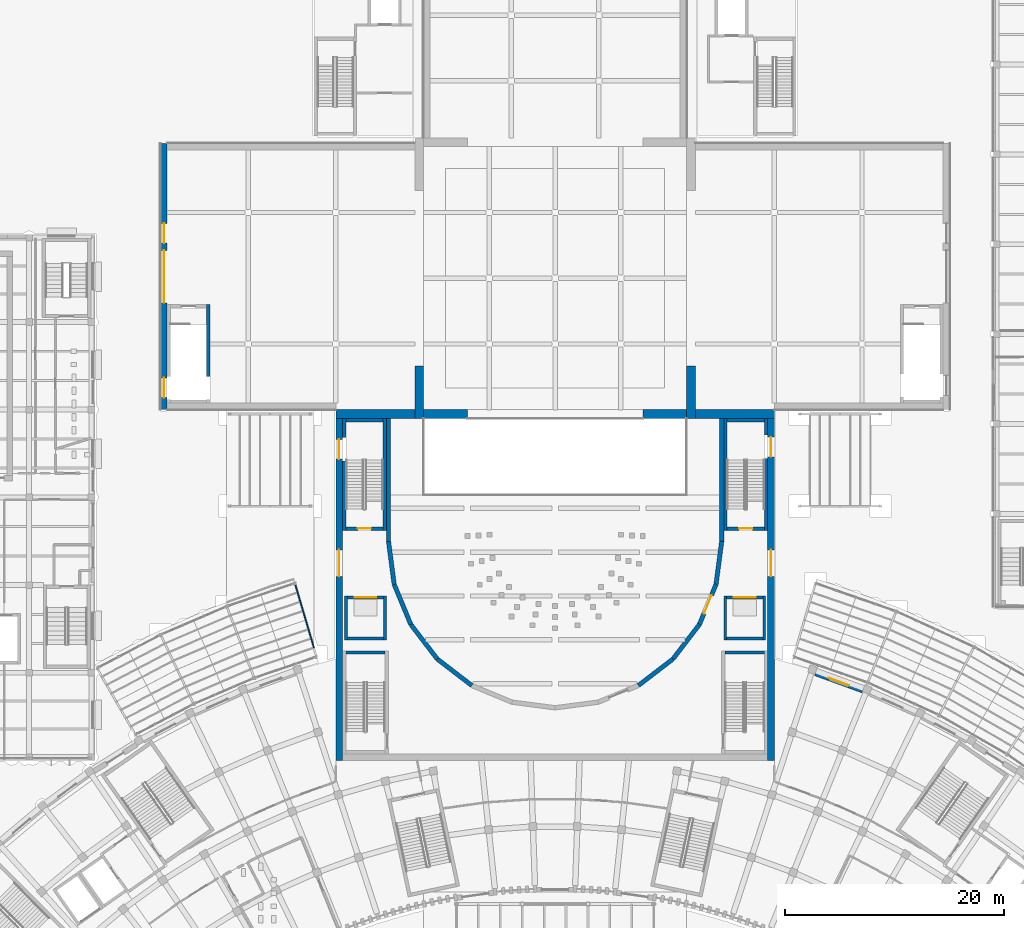
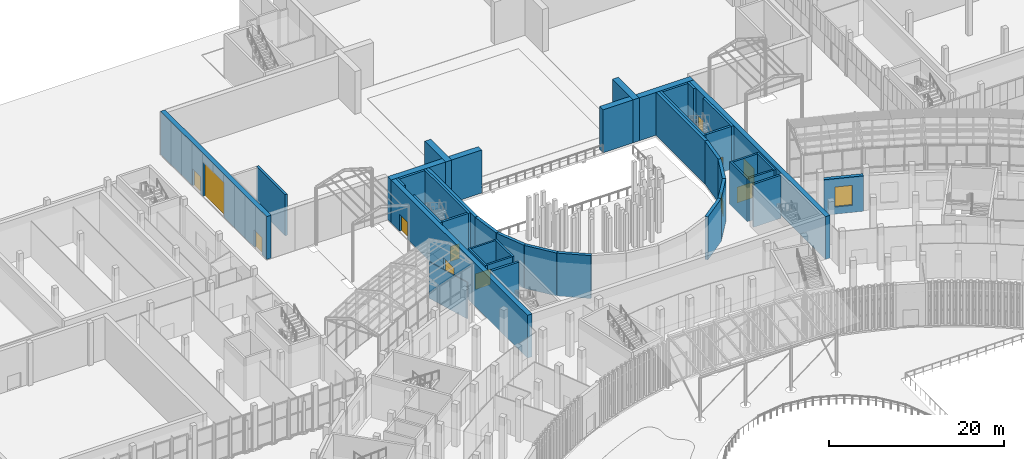
# One storey, part 97 of 155: 40 walls, 12 doors, 1 window, 13 openings.
"""IFC4 building model written with IfcOpenShell, lengths in metres."""

from ifc_helpers import new_model, si_unit, direction, frame, frame_2d, origin, place, context, subcontext, project, spatial, rectangle, extrude, material, layer, layer_set, type_object, element, fill, save


model = new_model("IFC4")

# Units and contexts
model_context = context("Model", 3, precision=1e-05, world=origin(), true_north=direction((0.0, 1.0)))
body_context = subcontext(model_context, "Body", "Model", "MODEL_VIEW")
ifc_project = project(units=[si_unit("LENGTHUNIT", "METRE"), si_unit("AREAUNIT", "SQUARE_METRE"), si_unit("VOLUMEUNIT", "CUBIC_METRE"), si_unit("PLANEANGLEUNIT", "RADIAN"), si_unit("MASSUNIT", "GRAM", prefix="KILO")], contexts=[model_context])

# Site, building, storey
site_placement = place(None, origin())
site = spatial("IfcSite", under=ifc_project, at=site_placement, CompositionType="ELEMENT")
building_placement = place(site_placement, origin())
building = spatial("IfcBuilding", under=site, at=building_placement, Name="Lunette Opera House", CompositionType="ELEMENT")
storey_placement = place(building_placement, origin())
storey = spatial("IfcBuildingStorey", under=building, at=storey_placement, Name="L00", CompositionType="ELEMENT", Elevation=0.0)

# Wall, opening, window
ifc_material_1 = material(Name="Clinker brick", Category="masonry")
ifc_layer_1 = layer(ifc_material_1, 0.449951171875)
ifc_layer_set_1 = layer_set([ifc_layer_1], Name="Clinker brick")
wall_type_1 = type_object("IfcWallType", Name="ARM RAIN SCREEN WALL 450", PredefinedType="SOLIDWALL", material=ifc_layer_set_1)
wall_1_placement = place(storey_placement, frame((119.7451171875, 71.946044921875, 0.0), z_axis=(0.0, 0.0, 1.0), x_axis=(0.939711059344, -0.341969479554, 0.0)))
wall_1 = element("IfcWall", 1, at=wall_1_placement, inside=storey, type_object=wall_type_1, Name="Arm Rain Screen Wall 450 BW-CE01 L00", PredefinedType="SOLIDWALL", context=body_context, shape_type="SweptSolid", body=[
    extrude(rectangle(XDim=4.58837890625, YDim=0.449951171875, at=frame_2d((2.294189453125, 0.0))), origin(), (0.0, 0.0, 1.0), 4.97998046875),
])
opening_1_placement = place(wall_1_placement, frame((1.2939453125, 0.0, 1.0)))
opening_1 = element("IfcOpeningElement", 2, at=opening_1_placement, cuts=wall_1, Name="Opening FC-N2142", PredefinedType="OPENING", context=body_context, shape_type="SweptSolid", body=[
    extrude(rectangle(XDim=2.0, YDim=2.800048828125, at=frame_2d((1.0, 1.39990234375))), frame((0.0, 0.237060546875, 0.0), z_axis=(0.0, -1.0, 0.0), x_axis=(1.0, 0.0, 0.0)), (0.0, 0.0, 1.0), 0.473876953125),
])
ifc_material_2 = material(Name="Aluminium", Category="aluminium")
window_type = type_object("IfcWindowType", Name="ARM WINDOW 2000 X 2800", PartitioningType="DOUBLE_PANEL_VERTICAL", PredefinedType="WINDOW", material=ifc_material_2)
window_placement = place(opening_1_placement, origin())
window = element("IfcWindow", 3, at=window_placement, inside=storey, type_object=window_type, Name="Arm Window 2000 X 2800 BW-CE01 L00", OverallHeight=2.800048828125, OverallWidth=2.0, PartitioningType="DOUBLE_PANEL_VERTICAL", PredefinedType="WINDOW", context=body_context, shape_type="SweptSolid", body=[
    extrude(rectangle(XDim=2.0, YDim=2.800048828125, at=frame_2d((1.0, 1.39990234375))), frame((0.0, 0.030029296875, 0.0), z_axis=(0.0, -1.0, 0.0), x_axis=(1.0, 0.0, 0.0)), (0.0, 0.0, 1.0), 0.06005859375),
])
fill(opening_1, window)

# Walls
ifc_material_3 = material(Name="Concrete C40/50", Category="concrete")
ifc_layer_2 = layer(ifc_material_3, 0.800048828125)
ifc_layer_set_2 = layer_set([ifc_layer_2], Name="Concrete C40/50")
wall_type_2 = type_object("IfcWallType", Name="FIRE WALL 800", PredefinedType="SHEAR", material=ifc_layer_set_2)
for number, where, z_axis, x_axis, name in (
    (4, (76.0, 95.60009765625, 0.0), (0.0, 0.0, 1.0), (1.0, 0.0, 0.0), "wall-ST-L00-WP-1"),
    (5, (104.0, 95.60009765625, 0.0), (0.0, 0.0, 1.0), (1.0, 0.0, 0.0), "wall-ST-L00-WP-2"),
):
    element("IfcWall", number, at=place(storey_placement, frame(where, z_axis=z_axis, x_axis=x_axis)), inside=storey, type_object=wall_type_2, Name=name, PredefinedType="SHEAR", context=body_context, shape_type="SweptSolid", body=[
        extrude(rectangle(XDim=12.0, YDim=0.800048828125, at=frame_2d((6.0, 0.0))), origin(), (0.0, 0.0, 1.0), 6.0),
    ])
ifc_material_4 = material(Name="Concrete C35/45", Category="concrete")
ifc_layer_3 = layer(ifc_material_4, 0.25)
ifc_layer_set_3 = layer_set([ifc_layer_3], Name="Concrete C35/45")
wall_type_3 = type_object("IfcWallType", Name="RC LIFT SHAFT WALL 250", PredefinedType="SOLIDWALL", material=ifc_layer_set_3)
wall_2_placement = place(storey_placement, frame((115.074951171875, 75.0, 0.0), z_axis=(0.0, 0.0, 1.0), x_axis=(0.0, 1.0, 0.0)))
element("IfcWall", 6, at=wall_2_placement, inside=storey, type_object=wall_type_3, Name="LF3 shaft wall 1", PredefinedType="SOLIDWALL", context=body_context, shape_type="SweptSolid", body=[
    extrude(rectangle(XDim=4.0, YDim=0.25, at=frame_2d((2.0, 0.0))), origin(), (0.0, 0.0, 1.0), 6.0),
])

# Wall, opening, door
wall_3_placement = place(storey_placement, frame((114.949951171875, 78.875, 0.0), z_axis=(0.0, 0.0, 1.0), x_axis=(-1.0, 0.0, 0.0)))
wall_3 = element("IfcWall", 7, at=wall_3_placement, inside=storey, type_object=wall_type_3, Name="LF3 shaft wall 2", PredefinedType="SOLIDWALL", context=body_context, shape_type="SweptSolid", body=[
    extrude(rectangle(XDim=3.300048828125, YDim=0.25, at=frame_2d((1.64990234375, 0.0))), origin(), (0.0, 0.0, 1.0), 6.0),
])
opening_2_placement = place(wall_3_placement, frame((0.64990234375, 0.0, 0.0)))
opening_2 = element("IfcOpeningElement", 8, at=opening_2_placement, cuts=wall_3, Name="Opening AU-LD001", PredefinedType="OPENING", context=body_context, shape_type="SweptSolid", body=[
    extrude(rectangle(XDim=2.0, YDim=2.199951171875, at=frame_2d((1.0, 1.10009765625))), frame((0.0, 0.136962890625, 0.0), z_axis=(0.0, -1.0, 0.0), x_axis=(1.0, 0.0, 0.0)), (0.0, 0.0, 1.0), 0.27392578125),
])
ifc_material_5 = material(Name="Stainless steel", Category="steel")
door_type_1 = type_object("IfcDoorType", Name="LIFT LANDING DOOR 2000 X 2200", OperationType="DOUBLE_DOOR_SLIDING", PredefinedType="DOOR", material=ifc_material_5)
door_1_placement = place(opening_2_placement, origin())
door_1 = element("IfcDoor", 9, at=door_1_placement, inside=storey, type_object=door_type_1, Name="LF3 lift landing door", OperationType="DOUBLE_DOOR_SLIDING", OverallHeight=2.199951171875, OverallWidth=2.0, PredefinedType="DOOR", context=body_context, shape_type="SweptSolid", body=[
    extrude(rectangle(XDim=2.0, YDim=2.199951171875, at=frame_2d((1.0, 1.10009765625))), frame((0.0, 0.02490234375, 0.0), z_axis=(0.0, -1.0, 0.0), x_axis=(1.0, 0.0, 0.0)), (0.0, 0.0, 1.0), 0.050048828125),
])
fill(opening_2, door_1)

# Walls
wall_4_placement = place(storey_placement, frame((111.52490234375, 79.0, 0.0), z_axis=(0.0, 0.0, 1.0), x_axis=(0.0, -1.0, 0.0)))
element("IfcWall", 10, at=wall_4_placement, inside=storey, type_object=wall_type_3, Name="LF3 shaft wall 3", PredefinedType="SOLIDWALL", context=body_context, shape_type="SweptSolid", body=[
    extrude(rectangle(XDim=4.0, YDim=0.25, at=frame_2d((2.0, 0.0))), origin(), (0.0, 0.0, 1.0), 6.0),
])
wall_5_placement = place(storey_placement, frame((111.64990234375, 75.125, 0.0), z_axis=(0.0, 0.0, 1.0), x_axis=(1.0, 0.0, 0.0)))
element("IfcWall", 11, at=wall_5_placement, inside=storey, type_object=wall_type_3, Name="LF3 shaft wall 4", PredefinedType="SOLIDWALL", context=body_context, shape_type="SweptSolid", body=[
    extrude(rectangle(XDim=3.300048828125, YDim=0.25, at=frame_2d((1.64990234375, 0.0))), origin(), (0.0, 0.0, 1.0), 6.0),
])
wall_6_placement = place(storey_placement, frame((80.47509765625, 75.0, 0.0), z_axis=(0.0, 0.0, 1.0), x_axis=(0.0, 1.0, 0.0)))
element("IfcWall", 12, at=wall_6_placement, inside=storey, type_object=wall_type_3, Name="LF4 shaft wall 1", PredefinedType="SOLIDWALL", context=body_context, shape_type="SweptSolid", body=[
    extrude(rectangle(XDim=4.0, YDim=0.25, at=frame_2d((2.0, 0.0))), origin(), (0.0, 0.0, 1.0), 6.0),
])

# Wall, opening, door
wall_7_placement = place(storey_placement, frame((80.35009765625, 78.875, 0.0), z_axis=(0.0, 0.0, 1.0), x_axis=(-1.0, 0.0, 0.0)))
wall_7 = element("IfcWall", 13, at=wall_7_placement, inside=storey, type_object=wall_type_3, Name="LF4 shaft wall 2", PredefinedType="SOLIDWALL", context=body_context, shape_type="SweptSolid", body=[
    extrude(rectangle(XDim=3.300048828125, YDim=0.25, at=frame_2d((1.64990234375, 0.0))), origin(), (0.0, 0.0, 1.0), 6.0),
])
opening_3_placement = place(wall_7_placement, frame((0.64990234375, 0.0, 0.0)))
opening_3 = element("IfcOpeningElement", 14, at=opening_3_placement, cuts=wall_7, Name="Opening AU-LD006", PredefinedType="OPENING", context=body_context, shape_type="SweptSolid", body=[
    extrude(rectangle(XDim=2.0, YDim=2.199951171875, at=frame_2d((1.0, 1.10009765625))), frame((0.0, 0.136962890625, 0.0), z_axis=(0.0, -1.0, 0.0), x_axis=(1.0, 0.0, 0.0)), (0.0, 0.0, 1.0), 0.27392578125),
])
door_2_placement = place(opening_3_placement, origin())
door_2 = element("IfcDoor", 15, at=door_2_placement, inside=storey, type_object=door_type_1, Name="LF4 lift landing door", OperationType="DOUBLE_DOOR_SLIDING", OverallHeight=2.199951171875, OverallWidth=2.0, PredefinedType="DOOR", context=body_context, shape_type="SweptSolid", body=[
    extrude(rectangle(XDim=2.0, YDim=2.199951171875, at=frame_2d((1.0, 1.10009765625))), frame((0.0, 0.02490234375, 0.0), z_axis=(0.0, -1.0, 0.0), x_axis=(1.0, 0.0, 0.0)), (0.0, 0.0, 1.0), 0.050048828125),
])
fill(opening_3, door_2)

# Walls
wall_8_placement = place(storey_placement, frame((76.925048828125, 79.0, 0.0), z_axis=(0.0, 0.0, 1.0), x_axis=(0.0, -1.0, 0.0)))
element("IfcWall", 16, at=wall_8_placement, inside=storey, type_object=wall_type_3, Name="LF4 shaft wall 3", PredefinedType="SOLIDWALL", context=body_context, shape_type="SweptSolid", body=[
    extrude(rectangle(XDim=4.0, YDim=0.25, at=frame_2d((2.0, 0.0))), origin(), (0.0, 0.0, 1.0), 6.0),
])
wall_9_placement = place(storey_placement, frame((77.050048828125, 75.125, 0.0), z_axis=(0.0, 0.0, 1.0), x_axis=(1.0, 0.0, 0.0)))
element("IfcWall", 17, at=wall_9_placement, inside=storey, type_object=wall_type_3, Name="LF4 shaft wall 4", PredefinedType="SOLIDWALL", context=body_context, shape_type="SweptSolid", body=[
    extrude(rectangle(XDim=3.300048828125, YDim=0.25, at=frame_2d((1.64990234375, 0.0))), origin(), (0.0, 0.0, 1.0), 6.0),
])
ifc_material_6 = material(Name="Concrete C35/45", Category="concrete")
ifc_layer_4 = layer(ifc_material_6, 0.300048828125)
ifc_layer_set_4 = layer_set([ifc_layer_4], Name="Concrete C35/45")
wall_type_4 = type_object("IfcWallType", Name="RC STAIR ENCLOSURE WALL 300", PredefinedType="SOLIDWALL", material=ifc_layer_set_4)
wall_10_placement = place(storey_placement, frame((80.449951171875, 85.0, 0.0), z_axis=(0.0, 0.0, 1.0), x_axis=(0.0, 1.0, 0.0)))
element("IfcWall", 18, at=wall_10_placement, inside=storey, type_object=wall_type_4, Name="ST10 enclosure wall 1", PredefinedType="SOLIDWALL", context=body_context, shape_type="SweptSolid", body=[
    extrude(rectangle(XDim=10.199951171875, YDim=0.300048828125, at=frame_2d((5.10009765625, 0.0))), origin(), (0.0, 0.0, 1.0), 6.0),
])
wall_11_placement = place(storey_placement, frame((80.300048828125, 95.050048828125, 0.0), z_axis=(0.0, 0.0, 1.0), x_axis=(-1.0, 0.0, 0.0)))
element("IfcWall", 19, at=wall_11_placement, inside=storey, type_object=wall_type_4, Name="ST10 enclosure wall 2", PredefinedType="SOLIDWALL", context=body_context, shape_type="SweptSolid", body=[
    extrude(rectangle(XDim=3.400146484375, YDim=0.300048828125, at=frame_2d((1.7001953125, 0.0))), origin(), (0.0, 0.0, 1.0), 6.0),
])

# Wall, opening, door
wall_12_placement = place(storey_placement, frame((76.89990234375, 85.14990234375, 0.0), z_axis=(0.0, 0.0, 1.0), x_axis=(1.0, 0.0, 0.0)))
wall_12 = element("IfcWall", 20, at=wall_12_placement, inside=storey, type_object=wall_type_4, Name="ST10 enclosure wall 4", PredefinedType="SOLIDWALL", context=body_context, shape_type="SweptSolid", body=[
    extrude(rectangle(XDim=3.400146484375, YDim=0.300048828125, at=frame_2d((1.7001953125, 0.0))), origin(), (0.0, 0.0, 1.0), 6.0),
])
opening_4_placement = place(wall_12_placement, frame((1.10009765625, 0.0, 0.0)))
opening_4 = element("IfcOpeningElement", 21, at=opening_4_placement, cuts=wall_12, Name="Opening AU-D7002", PredefinedType="OPENING", context=body_context, shape_type="SweptSolid", body=[
    extrude(rectangle(XDim=1.199951171875, YDim=2.10009765625, at=frame_2d((0.60009765625, 1.050048828125))), frame((0.0, 0.162109375, 0.0), z_axis=(0.0, -1.0, 0.0), x_axis=(1.0, 0.0, 0.0)), (0.0, 0.0, 1.0), 0.323974609375),
])
ifc_material_7 = material(Name="Steel", Category="steel")
door_type_2 = type_object("IfcDoorType", Name="FIRE DOOR 1200 X 2100", OperationType="SINGLE_SWING_LEFT", PredefinedType="DOOR", material=ifc_material_7)
door_3_placement = place(opening_4_placement, origin())
door_3 = element("IfcDoor", 22, at=door_3_placement, inside=storey, type_object=door_type_2, Name="ST10 stair door", OperationType="SINGLE_SWING_LEFT", OverallHeight=2.10009765625, OverallWidth=1.199951171875, PredefinedType="DOOR", context=body_context, shape_type="SweptSolid", body=[
    extrude(rectangle(XDim=1.199951171875, YDim=2.10009765625, at=frame_2d((0.60009765625, 1.050048828125))), frame((0.0, 0.02490234375, 0.0), z_axis=(0.0, -1.0, 0.0), x_axis=(1.0, 0.0, 0.0)), (0.0, 0.0, 1.0), 0.050048828125),
])
fill(opening_4, door_3)

# Walls
for number, where, z_axis, x_axis, name in (
    (23, (80.5, 73.85009765625, 0.0), (0.0, 0.0, 1.0), (-1.0, 0.0, 0.0), "ST7 enclosure wall 2"),
    (24, (115.10009765625, 73.85009765625, 0.0), (0.0, 0.0, 1.0), (-1.0, 0.0, 0.0), "ST8 enclosure wall 2"),
):
    element("IfcWall", number, at=place(storey_placement, frame(where, z_axis=z_axis, x_axis=x_axis)), inside=storey, type_object=wall_type_4, Name=name, PredefinedType="SOLIDWALL", context=body_context, shape_type="SweptSolid", body=[
        extrude(rectangle(XDim=3.60009765625, YDim=0.300048828125, at=frame_2d((1.800048828125, 0.0))), origin(), (0.0, 0.0, 1.0), 6.0),
    ])
wall_13_placement = place(storey_placement, frame((115.10009765625, 95.050048828125, 0.0), z_axis=(0.0, 0.0, 1.0), x_axis=(-1.0, 0.0, 0.0)))
element("IfcWall", 25, at=wall_13_placement, inside=storey, type_object=wall_type_4, Name="ST9 enclosure wall 2", PredefinedType="SOLIDWALL", context=body_context, shape_type="SweptSolid", body=[
    extrude(rectangle(XDim=3.400146484375, YDim=0.300048828125, at=frame_2d((1.7001953125, 0.0))), origin(), (0.0, 0.0, 1.0), 6.0),
])
wall_14_placement = place(storey_placement, frame((111.550048828125, 95.199951171875, 0.0), z_axis=(0.0, 0.0, 1.0), x_axis=(0.0, -1.0, 0.0)))
element("IfcWall", 26, at=wall_14_placement, inside=storey, type_object=wall_type_4, Name="ST9 enclosure wall 3", PredefinedType="SOLIDWALL", context=body_context, shape_type="SweptSolid", body=[
    extrude(rectangle(XDim=10.199951171875, YDim=0.300048828125, at=frame_2d((5.10009765625, 0.0))), origin(), (0.0, 0.0, 1.0), 6.0),
])

# Wall, opening, door
wall_15_placement = place(storey_placement, frame((111.699951171875, 85.14990234375, 0.0), z_axis=(0.0, 0.0, 1.0), x_axis=(1.0, 0.0, 0.0)))
wall_15 = element("IfcWall", 27, at=wall_15_placement, inside=storey, type_object=wall_type_4, Name="ST9 enclosure wall 4", PredefinedType="SOLIDWALL", context=body_context, shape_type="SweptSolid", body=[
    extrude(rectangle(XDim=3.400146484375, YDim=0.300048828125, at=frame_2d((1.7001953125, 0.0))), origin(), (0.0, 0.0, 1.0), 6.0),
])
opening_5_placement = place(wall_15_placement, frame((1.10009765625, 0.0, 0.0)))
opening_5 = element("IfcOpeningElement", 28, at=opening_5_placement, cuts=wall_15, Name="Opening AU-D7020", PredefinedType="OPENING", context=body_context, shape_type="SweptSolid", body=[
    extrude(rectangle(XDim=1.199951171875, YDim=2.10009765625, at=frame_2d((0.60009765625, 1.050048828125))), frame((0.0, 0.162109375, 0.0), z_axis=(0.0, -1.0, 0.0), x_axis=(1.0, 0.0, 0.0)), (0.0, 0.0, 1.0), 0.323974609375),
])
door_4_placement = place(opening_5_placement, origin())
door_4 = element("IfcDoor", 29, at=door_4_placement, inside=storey, type_object=door_type_2, Name="ST9 stair door", OperationType="SINGLE_SWING_LEFT", OverallHeight=2.10009765625, OverallWidth=1.199951171875, PredefinedType="DOOR", context=body_context, shape_type="SweptSolid", body=[
    extrude(rectangle(XDim=1.199951171875, YDim=2.10009765625, at=frame_2d((0.60009765625, 1.050048828125))), frame((0.0, 0.02490234375, 0.0), z_axis=(0.0, -1.0, 0.0), x_axis=(1.0, 0.0, 0.0)), (0.0, 0.0, 1.0), 0.050048828125),
])
fill(opening_5, door_4)

# Walls
wall_16_placement = place(storey_placement, frame((115.25, 85.0, 0.0), z_axis=(0.0, 0.0, 1.0), x_axis=(0.0, 1.0, 0.0)))
element("IfcWall", 30, at=wall_16_placement, inside=storey, type_object=wall_type_4, Name="ST9 enclosure wall 1 a", PredefinedType="SOLIDWALL", context=body_context, shape_type="SweptSolid", body=[
    extrude(rectangle(XDim=6.530029296875, YDim=0.300048828125, at=frame_2d((3.26513671875, 0.0))), origin(), (0.0, 0.0, 1.0), 6.0),
])
wall_17_placement = place(storey_placement, frame((115.25, 93.669921875, 0.0), z_axis=(0.0, 0.0, 1.0), x_axis=(0.0, 1.0, 0.0)))
element("IfcWall", 31, at=wall_17_placement, inside=storey, type_object=wall_type_4, Name="ST9 enclosure wall 1 b", PredefinedType="SOLIDWALL", context=body_context, shape_type="SweptSolid", body=[
    extrude(rectangle(XDim=1.530029296875, YDim=0.300048828125, at=frame_2d((0.76513671875, 0.0))), origin(), (0.0, 0.0, 1.0), 6.0),
])
wall_18_placement = place(storey_placement, frame((76.75, 95.199951171875, 0.0), z_axis=(0.0, 0.0, 1.0), x_axis=(0.0, -1.0, 0.0)))
element("IfcWall", 32, at=wall_18_placement, inside=storey, type_object=wall_type_4, Name="ST10 enclosure wall 3 a", PredefinedType="SOLIDWALL", context=body_context, shape_type="SweptSolid", body=[
    extrude(rectangle(XDim=1.72998046875, YDim=0.300048828125, at=frame_2d((0.864990234375, 0.0))), origin(), (0.0, 0.0, 1.0), 6.0),
])
wall_19_placement = place(storey_placement, frame((76.75, 91.330078125, 0.0), z_axis=(0.0, 0.0, 1.0), x_axis=(0.0, -1.0, 0.0)))
element("IfcWall", 33, at=wall_19_placement, inside=storey, type_object=wall_type_4, Name="ST10 enclosure wall 3 b", PredefinedType="SOLIDWALL", context=body_context, shape_type="SweptSolid", body=[
    extrude(rectangle(XDim=6.330078125, YDim=0.300048828125, at=frame_2d((3.1650390625, 0.0))), origin(), (0.0, 0.0, 1.0), 6.0),
])
wall_20_placement = place(storey_placement, frame((64.35009765625, 99.050048828125, 0.0), z_axis=(0.0, 0.0, 1.0), x_axis=(0.0, 1.0, 0.0)))
element("IfcWall", 34, at=wall_20_placement, inside=storey, type_object=wall_type_4, Name="ST13 enclosure wall 1 b", PredefinedType="SOLIDWALL", context=body_context, shape_type="SweptSolid", body=[
    extrude(rectangle(XDim=6.550048828125, YDim=0.300048828125, at=frame_2d((3.27490234375, 0.0))), origin(), (0.0, 0.0, 1.0), 5.75),
])
ifc_material_8 = material(Name="Concrete C35/45", Category="concrete")
ifc_layer_5 = layer(ifc_material_8, 0.39990234375)
ifc_layer_set_5 = layer_set([ifc_layer_5], Name="Concrete C35/45")
wall_type_5 = type_object("IfcWallType", Name="RC WALL 400", PredefinedType="SHEAR", material=ifc_layer_set_5)
wall_21_placement = place(storey_placement, frame((80.800048828125, 95.199951171875, 0.0), z_axis=(0.0, 0.0, 1.0), x_axis=(0.0, -1.0, 0.0)))
element("IfcWall", 35, at=wall_21_placement, inside=storey, type_object=wall_type_5, Name="wall-AU-L00-HW01", PredefinedType="SHEAR", context=body_context, shape_type="SweptSolid", body=[
    extrude(rectangle(XDim=11.212890625, YDim=0.39990234375, at=frame_2d((5.6064453125, 0.0))), origin(), (0.0, 0.0, 1.0), 6.0),
])
wall_22_placement = place(storey_placement, frame((80.800048828125, 83.987060546875, 0.0), z_axis=(0.0, 0.0, 1.0), x_axis=(0.130436947249, -0.991456606611, 0.0)))
element("IfcWall", 36, at=wall_22_placement, inside=storey, type_object=wall_type_5, Name="wall-AU-L00-HW02", PredefinedType="SHEAR", context=body_context, shape_type="SweptSolid", body=[
    extrude(rectangle(XDim=3.954833984375, YDim=0.39990234375, at=frame_2d((1.9775390625, 0.0))), origin(), (0.0, 0.0, 1.0), 6.0),
])
wall_23_placement = place(storey_placement, frame((81.31591796875, 80.06591796875, 0.0), z_axis=(0.0, 0.0, 1.0), x_axis=(0.38271032831, -0.923868391388, 0.0)))
element("IfcWall", 37, at=wall_23_placement, inside=storey, type_object=wall_type_5, Name="wall-AU-L00-HW03", PredefinedType="SHEAR", context=body_context, shape_type="SweptSolid", body=[
    extrude(rectangle(XDim=3.96923828125, YDim=0.39990234375, at=frame_2d((1.984619140625, 0.0))), origin(), (0.0, 0.0, 1.0), 6.0),
])
for number, where, z_axis, x_axis, name in (
    (38, (82.8349609375, 76.39892578125, 0.0), (0.0, 0.0, 1.0), (0.608568439888, -0.793501388766, 0.0), "wall-AU-L00-HW04"),
    (39, (85.25, 73.25, 0.0), (0.0, 0.0, 1.0), (0.793501388766, -0.608568439888, 0.0), "wall-AU-L00-HW05"),
    (40, (103.60107421875, 70.8349609375, 0.0), (0.0, 0.0, 1.0), (0.793501388766, 0.608568439888, 0.0), "wall-AU-L00-HW10"),
    (41, (106.75, 73.25, 0.0), (0.0, 0.0, 1.0), (0.608568439888, 0.793501388766, 0.0), "wall-AU-L00-HW11"),
):
    element("IfcWall", number, at=place(storey_placement, frame(where, z_axis=z_axis, x_axis=x_axis)), inside=storey, type_object=wall_type_5, Name=name, PredefinedType="SHEAR", context=body_context, shape_type="SweptSolid", body=[
        extrude(rectangle(XDim=3.968505859375, YDim=0.39990234375, at=frame_2d((1.984375, 0.0))), origin(), (0.0, 0.0, 1.0), 6.0),
    ])

# Wall, opening, door
wall_24_placement = place(storey_placement, frame((109.1650390625, 76.39892578125, 0.0), z_axis=(0.0, 0.0, 1.0), x_axis=(0.38271032831, 0.923868391388, 0.0)))
wall_24 = element("IfcWall", 42, at=wall_24_placement, inside=storey, type_object=wall_type_5, Name="wall-AU-L00-HW12", PredefinedType="SHEAR", context=body_context, shape_type="SweptSolid", body=[
    extrude(rectangle(XDim=3.96923828125, YDim=0.39990234375, at=frame_2d((1.984619140625, 0.0))), origin(), (0.0, 0.0, 1.0), 6.0),
])
opening_6_placement = place(wall_24_placement, frame((1.083984375, 0.0, 0.0)))
opening_6 = element("IfcOpeningElement", 43, at=opening_6_placement, cuts=wall_24, Name="Opening AU-D3005", PredefinedType="OPENING", context=body_context, shape_type="SweptSolid", body=[
    extrude(rectangle(XDim=1.800048828125, YDim=2.10009765625, at=frame_2d((0.89990234375, 1.050048828125))), frame((0.0, 0.2119140625, 0.0), z_axis=(0.0, -1.0, 0.0), x_axis=(1.0, 0.0, 0.0)), (0.0, 0.0, 1.0), 0.423828125),
])
ifc_material_9 = material(Name="Timber", Category="wood")
door_type_3 = type_object("IfcDoorType", Name="SOUND LOCK DOOR 1800 X 2100", OperationType="DOUBLE_DOOR_SINGLE_SWING", PredefinedType="DOOR", material=ifc_material_9)
door_5_placement = place(opening_6_placement, origin())
door_5 = element("IfcDoor", 44, at=door_5_placement, inside=storey, type_object=door_type_3, Name="Auditorium Stalls door", OperationType="DOUBLE_DOOR_SINGLE_SWING", OverallHeight=2.10009765625, OverallWidth=1.800048828125, PredefinedType="DOOR", context=body_context, shape_type="SweptSolid", body=[
    extrude(rectangle(XDim=1.800048828125, YDim=2.10009765625, at=frame_2d((0.89990234375, 1.050048828125))), frame((0.0, 0.02490234375, 0.0), z_axis=(0.0, -1.0, 0.0), x_axis=(1.0, 0.0, 0.0)), (0.0, 0.0, 1.0), 0.050048828125),
])
fill(opening_6, door_5)

# Walls
wall_25_placement = place(storey_placement, frame((110.68408203125, 80.06591796875, 0.0), z_axis=(0.0, 0.0, 1.0), x_axis=(0.130436947249, 0.991456606611, 0.0)))
element("IfcWall", 45, at=wall_25_placement, inside=storey, type_object=wall_type_5, Name="wall-AU-L00-HW13", PredefinedType="SHEAR", context=body_context, shape_type="SweptSolid", body=[
    extrude(rectangle(XDim=3.954833984375, YDim=0.39990234375, at=frame_2d((1.9775390625, 0.0))), origin(), (0.0, 0.0, 1.0), 6.0),
])
wall_26_placement = place(storey_placement, frame((111.199951171875, 83.987060546875, 0.0), z_axis=(0.0, 0.0, 1.0), x_axis=(0.0, 1.0, 0.0)))
element("IfcWall", 46, at=wall_26_placement, inside=storey, type_object=wall_type_5, Name="wall-AU-L00-HW14", PredefinedType="SHEAR", context=body_context, shape_type="SweptSolid", body=[
    extrude(rectangle(XDim=11.212890625, YDim=0.39990234375, at=frame_2d((5.6064453125, 0.0))), origin(), (0.0, 0.0, 1.0), 6.0),
])

# Wall, openings, doors
ifc_material_10 = material(Name="Concrete C35/45", Category="concrete")
ifc_layer_6 = layer(ifc_material_10, 0.60009765625)
ifc_layer_set_6 = layer_set([ifc_layer_6], Name="Concrete C35/45")
wall_type_6 = type_object("IfcWallType", Name="RC WALL 600", PredefinedType="SHEAR", material=ifc_layer_set_6)
wall_27_placement = place(storey_placement, frame((76.300048828125, 64.0, 0.0), z_axis=(0.0, 0.0, 1.0), x_axis=(0.0, 1.0, 0.0)))
wall_27 = element("IfcWall", 47, at=wall_27_placement, inside=storey, type_object=wall_type_6, Name="wall-AU-L00-WL", PredefinedType="SHEAR", context=body_context, shape_type="SweptSolid", body=[
    extrude(rectangle(XDim=32.0, YDim=0.60009765625, at=frame_2d((16.0, 0.0))), origin(), (0.0, 0.0, 1.0), 6.0),
])
opening_7_placement = place(wall_27_placement, frame((16.800048828125, 0.0, 0.0)))
opening_7 = element("IfcOpeningElement", 48, at=opening_7_placement, cuts=wall_27, Name="Opening AU-D2001", PredefinedType="OPENING", context=body_context, shape_type="SweptSolid", body=[
    extrude(rectangle(XDim=2.39990234375, YDim=2.39990234375, at=frame_2d((1.199951171875, 1.199951171875))), frame((0.0, 0.31201171875, 0.0), z_axis=(0.0, -1.0, 0.0), x_axis=(1.0, 0.0, 0.0)), (0.0, 0.0, 1.0), 0.6240234375),
])
opening_8_placement = place(wall_27_placement, frame((27.5, 0.0, 0.0)))
opening_8 = element("IfcOpeningElement", 49, at=opening_8_placement, cuts=wall_27, Name="Opening AU-D2004", PredefinedType="OPENING", context=body_context, shape_type="SweptSolid", body=[
    extrude(rectangle(XDim=1.800048828125, YDim=2.39990234375, at=frame_2d((0.89990234375, 1.199951171875))), frame((0.0, 0.31201171875, 0.0), z_axis=(0.0, -1.0, 0.0), x_axis=(1.0, 0.0, 0.0)), (0.0, 0.0, 1.0), 0.6240234375),
])
ifc_material_11 = material(Name="Powder-coated steel", Category="steel")
door_type_4 = type_object("IfcDoorType", Name="AUDITORIUM EXIT DOOR 2400 X 2400", OperationType="DOUBLE_DOOR_DOUBLE_SWING", PredefinedType="DOOR", material=ifc_material_11)
door_6_placement = place(opening_7_placement, origin())
door_6 = element("IfcDoor", 50, at=door_6_placement, inside=storey, type_object=door_type_4, Name="Auditorium Exit Door 2400 X 2400 WL-AX L00", OperationType="DOUBLE_DOOR_DOUBLE_SWING", OverallHeight=2.39990234375, OverallWidth=2.39990234375, PredefinedType="DOOR", context=body_context, shape_type="SweptSolid", body=[
    extrude(rectangle(XDim=2.39990234375, YDim=2.39990234375, at=frame_2d((1.199951171875, 1.199951171875))), frame((0.0, 0.02490234375, 0.0), z_axis=(0.0, -1.0, 0.0), x_axis=(1.0, 0.0, 0.0)), (0.0, 0.0, 1.0), 0.050048828125),
])
fill(opening_7, door_6)
ifc_material_12 = material(Name="Powder-coated steel", Category="steel")
door_type_5 = type_object("IfcDoorType", Name="EXIT DOUBLE DOOR 1800 X 2400", OperationType="DOUBLE_DOOR_DOUBLE_SWING", PredefinedType="DOOR", material=ifc_material_12)
door_7_placement = place(opening_8_placement, origin())
door_7 = element("IfcDoor", 51, at=door_7_placement, inside=storey, type_object=door_type_5, Name="Exit Double Door 1800 X 2400 ST10XE L00", OperationType="DOUBLE_DOOR_DOUBLE_SWING", OverallHeight=2.39990234375, OverallWidth=1.800048828125, PredefinedType="DOOR", context=body_context, shape_type="SweptSolid", body=[
    extrude(rectangle(XDim=1.800048828125, YDim=2.39990234375, at=frame_2d((0.89990234375, 1.199951171875))), frame((0.0, 0.02490234375, 0.0), z_axis=(0.0, -1.0, 0.0), x_axis=(1.0, 0.0, 0.0)), (0.0, 0.0, 1.0), 0.050048828125),
])
fill(opening_8, door_7)

wall_28_placement = place(storey_placement, frame((115.699951171875, 64.0, 0.0), z_axis=(0.0, 0.0, 1.0), x_axis=(0.0, 1.0, 0.0)))
wall_28 = element("IfcWall", 52, at=wall_28_placement, inside=storey, type_object=wall_type_6, Name="wall-AU-L00-WE", PredefinedType="SHEAR", context=body_context, shape_type="SweptSolid", body=[
    extrude(rectangle(XDim=32.0, YDim=0.60009765625, at=frame_2d((16.0, 0.0))), origin(), (0.0, 0.0, 1.0), 6.0),
])
opening_9_placement = place(wall_28_placement, frame((16.800048828125, 0.0, 0.0)))
opening_9 = element("IfcOpeningElement", 53, at=opening_9_placement, cuts=wall_28, Name="Opening AU-D2002", PredefinedType="OPENING", context=body_context, shape_type="SweptSolid", body=[
    extrude(rectangle(XDim=2.39990234375, YDim=2.39990234375, at=frame_2d((1.199951171875, 1.199951171875))), frame((0.0, 0.31201171875, 0.0), z_axis=(0.0, -1.0, 0.0), x_axis=(1.0, 0.0, 0.0)), (0.0, 0.0, 1.0), 0.6240234375),
])
opening_10_placement = place(wall_28_placement, frame((27.699951171875, 0.0, 0.0)))
opening_10 = element("IfcOpeningElement", 54, at=opening_10_placement, cuts=wall_28, Name="Opening AU-D2003", PredefinedType="OPENING", context=body_context, shape_type="SweptSolid", body=[
    extrude(rectangle(XDim=1.800048828125, YDim=2.39990234375, at=frame_2d((0.89990234375, 1.199951171875))), frame((0.0, 0.31201171875, 0.0), z_axis=(0.0, -1.0, 0.0), x_axis=(1.0, 0.0, 0.0)), (0.0, 0.0, 1.0), 0.6240234375),
])
door_8_placement = place(opening_9_placement, origin())
door_8 = element("IfcDoor", 55, at=door_8_placement, inside=storey, type_object=door_type_4, Name="Auditorium Exit Door 2400 X 2400 WE-AX L00", OperationType="DOUBLE_DOOR_DOUBLE_SWING", OverallHeight=2.39990234375, OverallWidth=2.39990234375, PredefinedType="DOOR", context=body_context, shape_type="SweptSolid", body=[
    extrude(rectangle(XDim=2.39990234375, YDim=2.39990234375, at=frame_2d((1.199951171875, 1.199951171875))), frame((0.0, 0.02490234375, 0.0), z_axis=(0.0, -1.0, 0.0), x_axis=(1.0, 0.0, 0.0)), (0.0, 0.0, 1.0), 0.050048828125),
])
fill(opening_9, door_8)
door_9_placement = place(opening_10_placement, origin())
door_9 = element("IfcDoor", 56, at=door_9_placement, inside=storey, type_object=door_type_5, Name="Exit Double Door 1800 X 2400 ST9XE L00", OperationType="DOUBLE_DOOR_DOUBLE_SWING", OverallHeight=2.39990234375, OverallWidth=1.800048828125, PredefinedType="DOOR", context=body_context, shape_type="SweptSolid", body=[
    extrude(rectangle(XDim=1.800048828125, YDim=2.39990234375, at=frame_2d((0.89990234375, 1.199951171875))), frame((0.0, 0.02490234375, 0.0), z_axis=(0.0, -1.0, 0.0), x_axis=(1.0, 0.0, 0.0)), (0.0, 0.0, 1.0), 0.050048828125),
])
fill(opening_10, door_9)

wall_29_placement = place(storey_placement, frame((60.300048828125, 96.0, 0.0), z_axis=(0.0, 0.0, 1.0), x_axis=(0.0, 1.0, 0.0)))
wall_29 = element("IfcWall", 57, at=wall_29_placement, inside=storey, type_object=wall_type_6, Name="wall-ST-L00-SW-W-1", PredefinedType="SHEAR", context=body_context, shape_type="SweptSolid", body=[
    extrude(rectangle(XDim=24.300048828125, YDim=0.60009765625, at=frame_2d((12.14990234375, 0.0))), origin(), (0.0, 0.0, 1.0), 6.0),
])
opening_11_placement = place(wall_29_placement, frame((9.75, 0.0, 0.0)))
opening_11 = element("IfcOpeningElement", 58, at=opening_11_placement, cuts=wall_29, Name="Opening ST-D2001", PredefinedType="OPENING", context=body_context, shape_type="SweptSolid", body=[
    extrude(rectangle(XDim=4.800048828125, YDim=4.800048828125, at=frame_2d((2.39990234375, 2.39990234375))), frame((0.0, 0.31201171875, 0.0), z_axis=(0.0, -1.0, 0.0), x_axis=(1.0, 0.0, 0.0)), (0.0, 0.0, 1.0), 0.6240234375),
])
opening_12_placement = place(wall_29_placement, frame((15.199951171875, 0.0, 0.0)))
opening_12 = element("IfcOpeningElement", 59, at=opening_12_placement, cuts=wall_29, Name="Opening ST-D2006", PredefinedType="OPENING", context=body_context, shape_type="SweptSolid", body=[
    extrude(rectangle(XDim=1.800048828125, YDim=2.39990234375, at=frame_2d((0.89990234375, 1.199951171875))), frame((0.0, 0.31201171875, 0.0), z_axis=(0.0, -1.0, 0.0), x_axis=(1.0, 0.0, 0.0)), (0.0, 0.0, 1.0), 0.6240234375),
])
opening_13_placement = place(wall_29_placement, frame((1.10009765625, 0.0, 0.0)))
opening_13 = element("IfcOpeningElement", 60, at=opening_13_placement, cuts=wall_29, Name="Opening ST-D2008", PredefinedType="OPENING", context=body_context, shape_type="SweptSolid", body=[
    extrude(rectangle(XDim=1.800048828125, YDim=2.39990234375, at=frame_2d((0.89990234375, 1.199951171875))), frame((0.0, 0.31201171875, 0.0), z_axis=(0.0, -1.0, 0.0), x_axis=(1.0, 0.0, 0.0)), (0.0, 0.0, 1.0), 0.6240234375),
])
door_10_placement = place(opening_12_placement, origin())
door_10 = element("IfcDoor", 61, at=door_10_placement, inside=storey, type_object=door_type_5, Name="Exit Double Door 1800 X 2400 ST13XD L00", OperationType="DOUBLE_DOOR_DOUBLE_SWING", OverallHeight=2.39990234375, OverallWidth=1.800048828125, PredefinedType="DOOR", context=body_context, shape_type="SweptSolid", body=[
    extrude(rectangle(XDim=1.800048828125, YDim=2.39990234375, at=frame_2d((0.89990234375, 1.199951171875))), frame((0.0, 0.02490234375, 0.0), z_axis=(0.0, -1.0, 0.0), x_axis=(1.0, 0.0, 0.0)), (0.0, 0.0, 1.0), 0.050048828125),
])
fill(opening_12, door_10)
door_11_placement = place(opening_13_placement, origin())
door_11 = element("IfcDoor", 62, at=door_11_placement, inside=storey, type_object=door_type_5, Name="Exit Double Door 1800 X 2400 ST13XF L00", OperationType="DOUBLE_DOOR_DOUBLE_SWING", OverallHeight=2.39990234375, OverallWidth=1.800048828125, PredefinedType="DOOR", context=body_context, shape_type="SweptSolid", body=[
    extrude(rectangle(XDim=1.800048828125, YDim=2.39990234375, at=frame_2d((0.89990234375, 1.199951171875))), frame((0.0, 0.02490234375, 0.0), z_axis=(0.0, -1.0, 0.0), x_axis=(1.0, 0.0, 0.0)), (0.0, 0.0, 1.0), 0.050048828125),
])
fill(opening_13, door_11)
ifc_material_13 = material(Name="Powder-coated steel", Category="steel")
door_type_6 = type_object("IfcDoorType", Name="SCENERY DOOR 4800 X 4800", OperationType="SLIDING_TO_LEFT", PredefinedType="DOOR", material=ifc_material_13)
door_12_placement = place(opening_11_placement, origin())
door_12 = element("IfcDoor", 63, at=door_12_placement, inside=storey, type_object=door_type_6, Name="Scenery Door 4800 X 4800 SW-W-SC L00", OperationType="SLIDING_TO_LEFT", OverallHeight=4.800048828125, OverallWidth=4.800048828125, PredefinedType="DOOR", context=body_context, shape_type="SweptSolid", body=[
    extrude(rectangle(XDim=4.800048828125, YDim=4.800048828125, at=frame_2d((2.39990234375, 2.39990234375))), frame((0.0, 0.02490234375, 0.0), z_axis=(0.0, -1.0, 0.0), x_axis=(1.0, 0.0, 0.0)), (0.0, 0.0, 1.0), 0.050048828125),
])
fill(opening_11, door_12)

# Walls
ifc_material_14 = material(Name="Concrete C40/50", Category="concrete")
ifc_layer_7 = layer(ifc_material_14, 0.800048828125)
ifc_layer_set_7 = layer_set([ifc_layer_7], Name="Concrete C40/50")
wall_type_7 = type_object("IfcWallType", Name="RC WALL 800", PredefinedType="SHEAR", material=ifc_layer_set_7)
for number, where, z_axis, x_axis, name in (
    (64, (83.60009765625, 95.199951171875, 0.0), (0.0, 0.0, 1.0), (0.0, 1.0, 0.0), "wall-ST-L00-WW-1"),
    (65, (108.39990234375, 95.199951171875, 0.0), (0.0, 0.0, 1.0), (0.0, 1.0, 0.0), "wall-ST-L00-WE-1"),
):
    element("IfcWall", number, at=place(storey_placement, frame(where, z_axis=z_axis, x_axis=x_axis)), inside=storey, type_object=wall_type_7, Name=name, PredefinedType="SHEAR", context=body_context, shape_type="SweptSolid", body=[
        extrude(rectangle(XDim=4.800048828125, YDim=0.800048828125, at=frame_2d((2.39990234375, 0.0))), origin(), (0.0, 0.0, 1.0), 6.0),
    ])
ifc_material_15 = material(Name="Gypsum board on steel studs", Category="steel")
ifc_layer_8 = layer(ifc_material_15, 0.10009765625)
ifc_layer_set_8 = layer_set([ifc_layer_8], Name="Gypsum board on steel studs")
wall_type_8 = type_object("IfcWallType", Name="STUD PARTITION 100", PredefinedType="PARTITIONING", material=ifc_layer_set_8)
wall_30_placement = place(storey_placement, frame((74.0, 74.27099609375, 0.0), z_axis=(0.0, 0.0, 1.0), x_axis=(-0.283988873223, 0.95882757568, 0.0)))
element("IfcWall", 66, at=wall_30_placement, inside=storey, type_object=wall_type_8, Name="Partition Public Passage West", PredefinedType="PARTITIONING", context=body_context, shape_type="SweptSolid", body=[
    extrude(rectangle(XDim=6.017822265625, YDim=0.10009765625, at=frame_2d((3.0087890625, 0.0))), origin(), (0.0, 0.0, 1.0), 5.10009765625),
])

save(model, "model.ifc")
